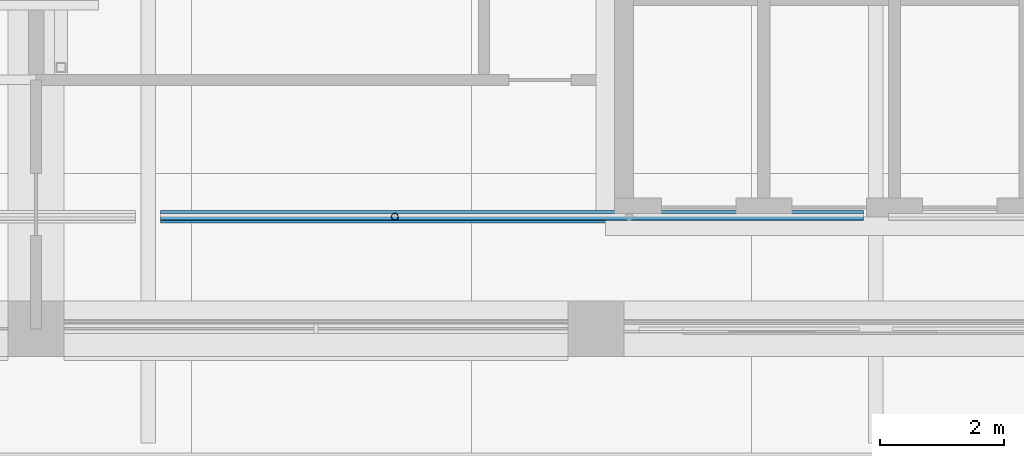
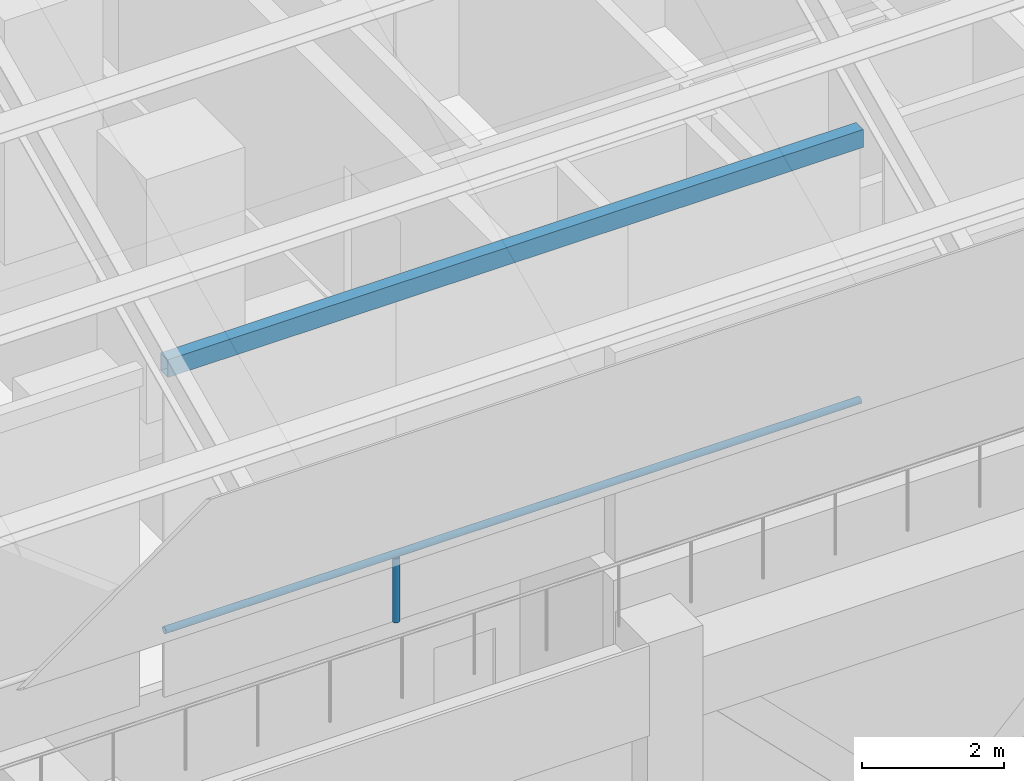
# One storey, part 9 of 31: 2 members, 1 beam.
"""IFC4 building model written with IfcOpenShell, lengths in metres."""

from ifc_helpers import new_model, si_unit, direction, frame, origin, origin_2d, place, context, subcontext, project, spatial, hollow_rectangle, hollow_circle, extrude, material, material_profile, profile_set, type_object, element, save


model = new_model("IFC4")

# Units and contexts
model_context = context("Model", 3, precision=1e-05, world=origin(), true_north=direction((0.0, 1.0)))
body_context = subcontext(model_context, "Body", "Model", "MODEL_VIEW")
ifc_project = project(units=[si_unit("LENGTHUNIT", "METRE"), si_unit("AREAUNIT", "SQUARE_METRE"), si_unit("VOLUMEUNIT", "CUBIC_METRE"), si_unit("PLANEANGLEUNIT", "RADIAN"), si_unit("MASSUNIT", "GRAM", prefix="KILO")], contexts=[model_context])

# Site, building, storey
site_placement = place(None, origin())
site = spatial("IfcSite", under=ifc_project, at=site_placement, CompositionType="ELEMENT")
building_placement = place(site_placement, origin())
building = spatial("IfcBuilding", under=site, at=building_placement, Name="Tessera Arch", CompositionType="ELEMENT")
storey_placement = place(building_placement, frame((0.0, 0.0, 320.699951171875)))
storey = spatial("IfcBuildingStorey", under=building, at=storey_placement, Name="L77", CompositionType="ELEMENT", Elevation=320.699951171875)

# Member
ifc_material_1 = material(Name="Steel A500 Gr C", Category="steel")
ifc_material_profile_1 = material_profile(ifc_material_1, hollow_circle(Radius=0.056884765625, WallThickness=0.006103515625, at=origin_2d()), Name="Crown parapet post CHS114x6")
ifc_profile_set_1 = profile_set([ifc_material_profile_1], Name="Steel A500 Gr C")
member_type_1 = type_object("IfcMemberType", Name="Crown parapet post CHS114x6", PredefinedType="POST", material=ifc_profile_set_1)
member_1_placement = place(storey_placement, frame((32.7666015625, 28.800048828125, 4.5), z_axis=(0.0, 0.0, 1.0), x_axis=(1.0, 0.0, 0.0)))
element("IfcMember", 1, at=member_1_placement, inside=storey, type_object=member_type_1, Name="CROWN parapet post S2-1", PredefinedType="POST", context=body_context, shape_type="SweptSolid", body=[
    extrude(hollow_circle(Radius=0.056884765625, WallThickness=0.006103515625, at=origin_2d()), origin(), (0.0, 0.0, 1.0), 1.10009765625),
])

# Beam
ifc_material_2 = material(Name="Steel A500 Gr C", Category="steel")
ifc_material_profile_2 = material_profile(ifc_material_2, hollow_rectangle(XDim=0.203125, YDim=0.3046875, WallThickness=0.0087890625, at=origin_2d()), Name="HSS12x8x3/8")
ifc_profile_set_2 = profile_set([ifc_material_profile_2], Name="Steel A500 Gr C")
beam_type = type_object("IfcBeamType", Name="Crown ring beam HSS12x8x3/8", PredefinedType="BEAM", material=ifc_profile_set_2)
beam_placement = place(storey_placement, frame((29.0, 28.800048828125, 10.208251953125), z_axis=(1.0, 0.0, 0.0), x_axis=(0.0, 1.0, 0.0)))
element("IfcBeam", 2, at=beam_placement, inside=storey, type_object=beam_type, Name="Crown ring beam S2", PredefinedType="BEAM", context=body_context, shape_type="SweptSolid", body=[
    extrude(hollow_rectangle(XDim=0.203125, YDim=0.3046875, WallThickness=0.0087890625, at=origin_2d()), origin(), (0.0, 0.0, 1.0), 11.300048828125),
])

# Member
ifc_material_3 = material(Name="Steel A500 Gr C", Category="steel")
ifc_material_profile_3 = material_profile(ifc_material_3, hollow_circle(Radius=0.056884765625, WallThickness=0.006103515625, at=origin_2d()), Name="Crown trellis rail CHS114x6")
ifc_profile_set_3 = profile_set([ifc_material_profile_3], Name="Steel A500 Gr C")
member_type_2 = type_object("IfcMemberType", Name="Crown trellis rail CHS114x6", PredefinedType="STRINGER", material=ifc_profile_set_3)
member_2_placement = place(storey_placement, frame((29.0, 28.800048828125, 5.656982421875), z_axis=(1.0, 0.0, 0.0), x_axis=(0.0, 1.0, 0.0)))
element("IfcMember", 3, at=member_2_placement, inside=storey, type_object=member_type_2, Name="CROWN trellis rail S2", PredefinedType="STRINGER", context=body_context, shape_type="SweptSolid", body=[
    extrude(hollow_circle(Radius=0.056884765625, WallThickness=0.006103515625, at=origin_2d()), origin(), (0.0, 0.0, 1.0), 11.300048828125),
])

save(model, "model.ifc")
